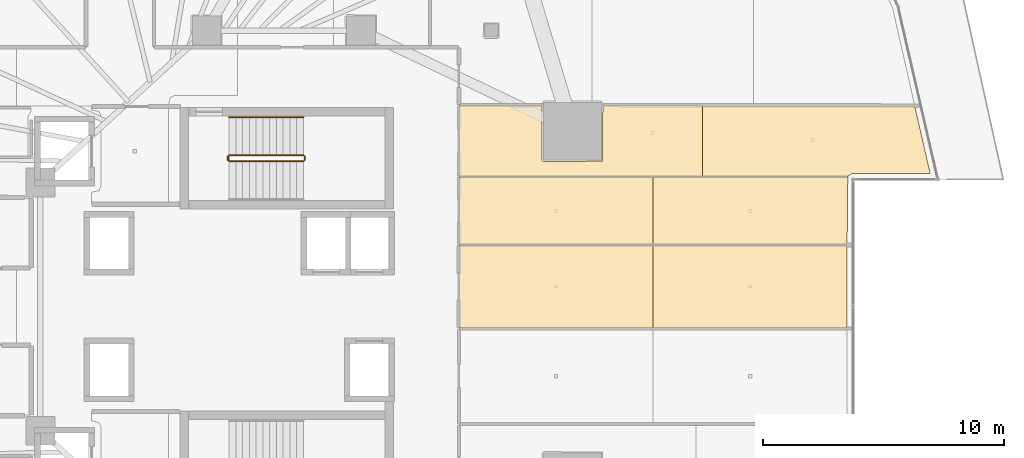
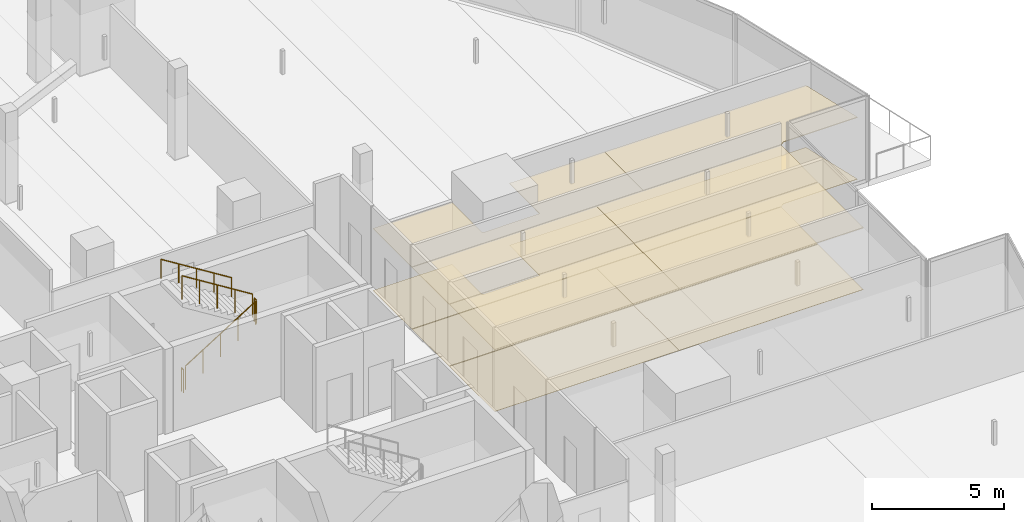
# One storey, part 51 of 52: 12 coverings, 5 railings.
"""IFC4 building model written with IfcOpenShell, lengths in metres."""

from ifc_helpers import new_model, si_unit, direction, frame, origin, origin_2d, place, context, subcontext, project, spatial, polyline, circle, outline, extrude, material, layer, layer_set, type_object, element, save


model = new_model("IFC4")

# Units and contexts
model_context = context("Model", 3, precision=1e-05, world=origin(), true_north=direction((0.0, 1.0)))
body_context = subcontext(model_context, "Body", "Model", "MODEL_VIEW")
ifc_project = project(units=[si_unit("LENGTHUNIT", "METRE"), si_unit("AREAUNIT", "SQUARE_METRE"), si_unit("VOLUMEUNIT", "CUBIC_METRE"), si_unit("PLANEANGLEUNIT", "RADIAN"), si_unit("MASSUNIT", "GRAM", prefix="KILO")], contexts=[model_context])

# Site, building, storey
site_placement = place(None, origin())
site = spatial("IfcSite", under=ifc_project, at=site_placement, CompositionType="ELEMENT")
building_placement = place(site_placement, origin())
building = spatial("IfcBuilding", under=site, at=building_placement, Name="Qorvath Tower", CompositionType="ELEMENT")
storey_placement = place(building_placement, frame((0.0, 0.0, 61.800048828125)))
storey = spatial("IfcBuildingStorey", under=building, at=storey_placement, Name="L13", CompositionType="ELEMENT", Elevation=61.800048828125)

# Coverings
ifc_material_1 = material(Name="Acoustic mineral fibre ceiling tile", Category="gypsum")
ifc_layer_1 = layer(ifc_material_1, 0.030029296875)
ifc_layer_set_1 = layer_set([ifc_layer_1], Name="COV-CEIL")
covering_type_1 = type_object("IfcCoveringType", Name="COV-CEIL", PredefinedType="CEILING", material=ifc_layer_set_1)
covering_1_placement = place(storey_placement, frame((0.0, 0.0, 2.849853515625)))
element("IfcCovering", 1, at=covering_1_placement, inside=storey, type_object=covering_type_1, Name="L13 Suspended Acoustic Ceiling 032", PredefinedType="CEILING", context=body_context, shape_type="SweptSolid", body=[
    extrude(outline(polyline([(-13.136962890625, -0.887451171875), (-5.086181640625, -0.887451171875), (-5.086181640625, 2.552490234375), (-13.136962890625, 2.552490234375), (-13.136962890625, -0.887451171875)])), origin(), (0.0, 0.0, 1.0), 0.030029296875),
])
covering_2_placement = place(storey_placement, frame((0.0, 0.0, 2.849853515625)))
element("IfcCovering", 2, at=covering_2_placement, inside=storey, type_object=covering_type_1, Name="L13 Suspended Acoustic Ceiling 033", PredefinedType="CEILING", context=body_context, shape_type="SweptSolid", body=[
    extrude(outline(polyline([(-5.086181640625, 2.552490234375), (-5.086181640625, -0.887451171875), (2.96435546875, -0.887451171875), (2.96435546875, 2.552490234375), (-5.086181640625, 2.552490234375)])), origin(), (0.0, 0.0, 1.0), 0.030029296875),
])
covering_3_placement = place(storey_placement, frame((0.0, 0.0, 2.849853515625)))
element("IfcCovering", 3, at=covering_3_placement, inside=storey, type_object=covering_type_1, Name="L13 Suspended Acoustic Ceiling 034", PredefinedType="CEILING", context=body_context, shape_type="SweptSolid", body=[
    extrude(outline(polyline([(-13.136962890625, 2.570556640625), (-5.0791015625, 2.570556640625), (-5.0791015625, 5.382568359375), (-13.136962890625, 5.382568359375), (-13.136962890625, 2.570556640625)])), origin(), (0.0, 0.0, 1.0), 0.030029296875),
])
covering_4_placement = place(storey_placement, frame((0.0, 0.0, 2.849853515625)))
element("IfcCovering", 4, at=covering_4_placement, inside=storey, type_object=covering_type_1, Name="L13 Suspended Acoustic Ceiling 035", PredefinedType="CEILING", context=body_context, shape_type="SweptSolid", body=[
    extrude(outline(polyline([(-5.0791015625, 5.382568359375), (-5.0791015625, 2.570556640625), (2.96435546875, 2.570556640625), (2.99365234375, 5.382568359375), (-5.0791015625, 5.382568359375)])), origin(), (0.0, 0.0, 1.0), 0.030029296875),
])
covering_5_placement = place(storey_placement, frame((0.0, 0.0, 2.849853515625)))
element("IfcCovering", 5, at=covering_5_placement, inside=storey, type_object=covering_type_1, Name="L13 Suspended Acoustic Ceiling 036", PredefinedType="CEILING", context=body_context, shape_type="SweptSolid", body=[
    extrude(outline(polyline([(-3.025634765625, 5.400634765625), (-3.025634765625, 8.331298828125), (-7.17041015625, 8.3369140625), (-7.18798828125, 6.033935546875), (-9.63037109375, 6.016357421875), (-9.690185546875, 6.076416015625), (-9.690185546875, 8.3369140625), (-13.136962890625, 8.3369140625), (-13.136962890625, 5.400634765625), (-3.025634765625, 5.400634765625)])), origin(), (0.0, 0.0, 1.0), 0.030029296875),
])
covering_6_placement = place(storey_placement, frame((0.0, 0.0, 2.849853515625)))
element("IfcCovering", 6, at=covering_6_placement, inside=storey, type_object=covering_type_1, Name="L13 Suspended Acoustic Ceiling 037", PredefinedType="CEILING", context=body_context, shape_type="SweptSolid", body=[
    extrude(outline(polyline([(3.00244140625, 5.400634765625), (3.170654296875, 5.5205078125), (6.41259765625, 5.525390625), (5.768310546875, 8.3193359375), (-3.025634765625, 8.331298828125), (-3.025634765625, 5.400634765625), (3.00244140625, 5.400634765625)])), origin(), (0.0, 0.0, 1.0), 0.030029296875),
])
ifc_material_2 = material(Name="Low-VOC modular carpet tile", Category="textile")
ifc_layer_2 = layer(ifc_material_2, 0.014892578125)
ifc_layer_set_2 = layer_set([ifc_layer_2], Name="COV-FLOOR-CPT")
covering_type_2 = type_object("IfcCoveringType", Name="COV-FLOOR-CPT", PredefinedType="FLOORING", material=ifc_layer_set_2)
covering_7_placement = place(storey_placement, origin())
element("IfcCovering", 7, at=covering_7_placement, inside=storey, type_object=covering_type_2, Name="L13 Floor Finish 032", PredefinedType="FLOORING", context=body_context, shape_type="SweptSolid", body=[
    extrude(outline(polyline([(-13.136962890625, -0.887451171875), (-5.086181640625, -0.887451171875), (-5.086181640625, 2.552490234375), (-13.136962890625, 2.552490234375), (-13.136962890625, -0.887451171875)])), origin(), (0.0, 0.0, 1.0), 0.014892578125),
])
covering_8_placement = place(storey_placement, origin())
element("IfcCovering", 8, at=covering_8_placement, inside=storey, type_object=covering_type_2, Name="L13 Floor Finish 033", PredefinedType="FLOORING", context=body_context, shape_type="SweptSolid", body=[
    extrude(outline(polyline([(-5.086181640625, 2.552490234375), (-5.086181640625, -0.887451171875), (2.96435546875, -0.887451171875), (2.96435546875, 2.552490234375), (-5.086181640625, 2.552490234375)])), origin(), (0.0, 0.0, 1.0), 0.014892578125),
])
covering_9_placement = place(storey_placement, origin())
element("IfcCovering", 9, at=covering_9_placement, inside=storey, type_object=covering_type_2, Name="L13 Floor Finish 034", PredefinedType="FLOORING", context=body_context, shape_type="SweptSolid", body=[
    extrude(outline(polyline([(-13.136962890625, 2.570556640625), (-5.0791015625, 2.570556640625), (-5.0791015625, 5.382568359375), (-13.136962890625, 5.382568359375), (-13.136962890625, 2.570556640625)])), origin(), (0.0, 0.0, 1.0), 0.014892578125),
])
covering_10_placement = place(storey_placement, origin())
element("IfcCovering", 10, at=covering_10_placement, inside=storey, type_object=covering_type_2, Name="L13 Floor Finish 035", PredefinedType="FLOORING", context=body_context, shape_type="SweptSolid", body=[
    extrude(outline(polyline([(-5.0791015625, 5.382568359375), (-5.0791015625, 2.570556640625), (2.96435546875, 2.570556640625), (2.99365234375, 5.382568359375), (-5.0791015625, 5.382568359375)])), origin(), (0.0, 0.0, 1.0), 0.014892578125),
])
covering_11_placement = place(storey_placement, origin())
element("IfcCovering", 11, at=covering_11_placement, inside=storey, type_object=covering_type_2, Name="L13 Floor Finish 036", PredefinedType="FLOORING", context=body_context, shape_type="SweptSolid", body=[
    extrude(outline(polyline([(-3.025634765625, 5.400634765625), (-3.025634765625, 8.331298828125), (-7.17041015625, 8.3369140625), (-7.18798828125, 6.033935546875), (-9.63037109375, 6.016357421875), (-9.690185546875, 6.076416015625), (-9.690185546875, 8.3369140625), (-13.136962890625, 8.3369140625), (-13.136962890625, 5.400634765625), (-3.025634765625, 5.400634765625)])), origin(), (0.0, 0.0, 1.0), 0.014892578125),
])
covering_12_placement = place(storey_placement, origin())
element("IfcCovering", 12, at=covering_12_placement, inside=storey, type_object=covering_type_2, Name="L13 Floor Finish 037", PredefinedType="FLOORING", context=body_context, shape_type="SweptSolid", body=[
    extrude(outline(polyline([(3.00244140625, 5.400634765625), (3.170654296875, 5.5205078125), (6.41259765625, 5.525390625), (5.768310546875, 8.3193359375), (-3.025634765625, 8.331298828125), (-3.025634765625, 5.400634765625), (3.00244140625, 5.400634765625)])), origin(), (0.0, 0.0, 1.0), 0.014892578125),
])

# Railings
ifc_material_3 = material(Name="Painted galvanised steel", Category="steel")
railing_type_1 = type_object("IfcRailingType", Name="RL-STR-GRD", PredefinedType="GUARDRAIL", material=ifc_material_3)
railing_1_placement = place(storey_placement, frame((-22.669921875, 6.030029296875, 0.175048828125)))
element("IfcRailing", 13, at=railing_1_placement, inside=storey, type_object=railing_type_1, Name="L13 TS1 stair guard 1", PredefinedType="GUARDRAIL", context=body_context, shape_type="SweptSolid", body=[
    extrude(circle(Radius=0.02392578125, at=origin_2d()), frame((0.0, 0.0, 1.076171875), z_axis=(0.848009633417, 0.0, 0.529980812513), x_axis=(0.0, 1.0, 0.0)), (0.0, 0.0, 1.0), 3.6318359375),
    extrude(circle(Radius=0.02099609375, at=origin_2d()), origin(), (0.0, 0.0, 1.0), 1.052001953125),
    extrude(circle(Radius=0.02099609375, at=origin_2d()), frame((0.77001953125, 0.0, 0.481201171875)), (0.0, 0.0, 1.0), 1.052001953125),
    extrude(circle(Radius=0.02099609375, at=origin_2d()), frame((1.5400390625, 0.0, 0.96240234375)), (0.0, 0.0, 1.0), 1.052001953125),
    extrude(circle(Radius=0.02099609375, at=origin_2d()), frame((2.309814453125, 0.0, 1.443603515625)), (0.0, 0.0, 1.0), 1.052001953125),
    extrude(circle(Radius=0.02099609375, at=origin_2d()), frame((3.079833984375, 0.0, 1.9248046875)), (0.0, 0.0, 1.0), 1.052001953125),
])
railing_2_placement = place(storey_placement, frame((-19.5400390625, 6.080078125, 2.099853515625)))
element("IfcRailing", 14, at=railing_2_placement, inside=storey, type_object=railing_type_1, Name="L13 TS1 stair guard 2", PredefinedType="GUARDRAIL", context=body_context, shape_type="SweptSolid", body=[
    extrude(circle(Radius=0.02392578125, at=origin_2d()), frame((0.0, 0.0, 1.076171875), z_axis=(0.0, 1.0, 0.0), x_axis=(-1.0, 0.0, 0.0)), (0.0, 0.0, 1.0), 0.14990234375),
    extrude(circle(Radius=0.02099609375, at=origin_2d()), origin(), (0.0, 0.0, 1.0), 1.052001953125),
    extrude(circle(Radius=0.02099609375, at=origin_2d()), frame((0.0, 0.14990234375, 0.0)), (0.0, 0.0, 1.0), 1.052001953125),
])
railing_3_placement = place(storey_placement, frame((-19.590087890625, 6.280029296875, 2.27490234375)))
element("IfcRailing", 15, at=railing_3_placement, inside=storey, type_object=railing_type_1, Name="L13 TS1 stair guard 3", PredefinedType="GUARDRAIL", context=body_context, shape_type="SweptSolid", body=[
    extrude(circle(Radius=0.02392578125, at=origin_2d()), frame((0.0, 0.0, 1.076171875), z_axis=(-0.847979421464, 0.0, 0.530029150871), x_axis=(0.0, -1.0, 0.0)), (0.0, 0.0, 1.0), 3.632080078125),
    extrude(circle(Radius=0.02099609375, at=origin_2d()), origin(), (0.0, 0.0, 1.0), 1.052001953125),
    extrude(circle(Radius=0.02099609375, at=origin_2d()), frame((-0.77001953125, 0.0, 0.481201171875)), (0.0, 0.0, 1.0), 1.052001953125),
    extrude(circle(Radius=0.02099609375, at=origin_2d()), frame((-1.5400390625, 0.0, 0.96240234375)), (0.0, 0.0, 1.0), 1.052001953125),
    extrude(circle(Radius=0.02099609375, at=origin_2d()), frame((-2.309814453125, 0.0, 1.44384765625)), (0.0, 0.0, 1.0), 1.052001953125),
    extrude(circle(Radius=0.02099609375, at=origin_2d()), frame((-3.079833984375, 0.0, 1.925048828125)), (0.0, 0.0, 1.0), 1.052001953125),
])
railing_4_placement = place(storey_placement, frame((-22.719970703125, 6.080078125, 0.0)))
element("IfcRailing", 16, at=railing_4_placement, inside=storey, type_object=railing_type_1, Name="L13 TS1 stair guard 4", PredefinedType="GUARDRAIL", context=body_context, shape_type="SweptSolid", body=[
    extrude(circle(Radius=0.02392578125, at=origin_2d()), frame((0.0, 0.0, 1.076171875), z_axis=(0.0, 1.0, 0.0), x_axis=(-1.0, 0.0, 0.0)), (0.0, 0.0, 1.0), 0.14990234375),
    extrude(circle(Radius=0.02099609375, at=origin_2d()), origin(), (0.0, 0.0, 1.0), 1.052001953125),
    extrude(circle(Radius=0.02099609375, at=origin_2d()), frame((0.0, 0.14990234375, 0.0)), (0.0, 0.0, 1.0), 1.052001953125),
])
ifc_material_4 = material(Name="Brushed stainless steel AISI 304", Category="steel")
railing_type_2 = type_object("IfcRailingType", Name="RL-STR-HND", PredefinedType="HANDRAIL", material=ifc_material_4)
railing_5_placement = place(storey_placement, frame((-19.590087890625, 7.860107421875, 2.27490234375)))
element("IfcRailing", 17, at=railing_5_placement, inside=storey, type_object=railing_type_2, Name="L13 TS1 stair handrail 2", PredefinedType="HANDRAIL", context=body_context, shape_type="SweptSolid", body=[
    extrude(circle(Radius=0.02392578125, at=origin_2d()), frame((0.0, 0.0, 0.8759765625), z_axis=(-0.847979421464, 0.0, 0.530029150871), x_axis=(0.0, -1.0, 0.0)), (0.0, 0.0, 1.0), 3.632080078125),
    extrude(circle(Radius=0.02099609375, at=origin_2d()), origin(), (0.0, 0.0, 1.0), 0.851806640625),
    extrude(circle(Radius=0.02099609375, at=origin_2d()), frame((-0.77001953125, 0.0, 0.481201171875)), (0.0, 0.0, 1.0), 0.851806640625),
    extrude(circle(Radius=0.02099609375, at=origin_2d()), frame((-1.5400390625, 0.0, 0.96240234375)), (0.0, 0.0, 1.0), 0.851806640625),
    extrude(circle(Radius=0.02099609375, at=origin_2d()), frame((-2.309814453125, 0.0, 1.44384765625)), (0.0, 0.0, 1.0), 0.851806640625),
    extrude(circle(Radius=0.02099609375, at=origin_2d()), frame((-3.079833984375, 0.0, 1.925048828125)), (0.0, 0.0, 1.0), 0.851806640625),
])

save(model, "model.ifc")
